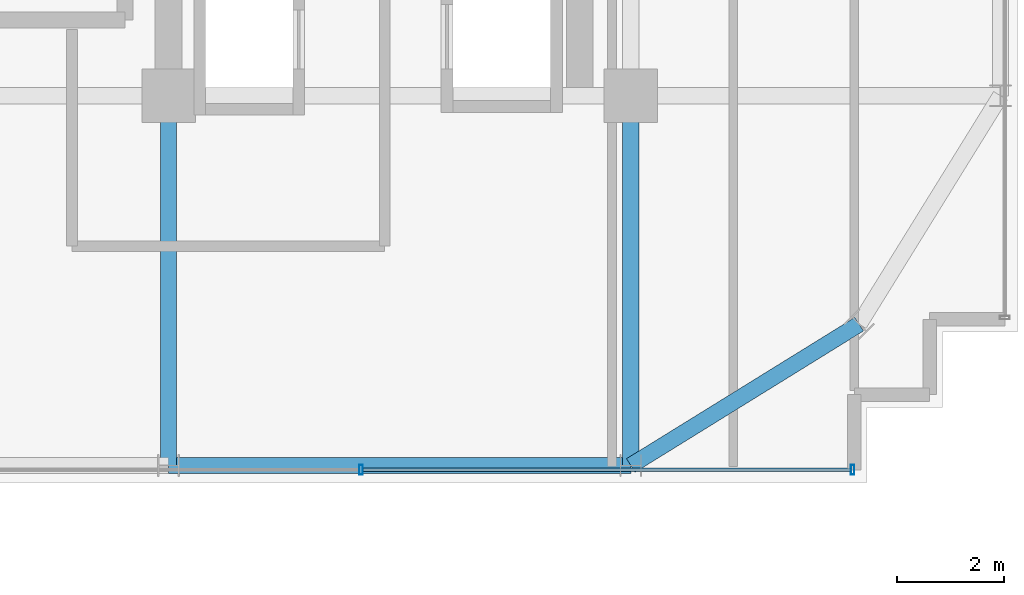
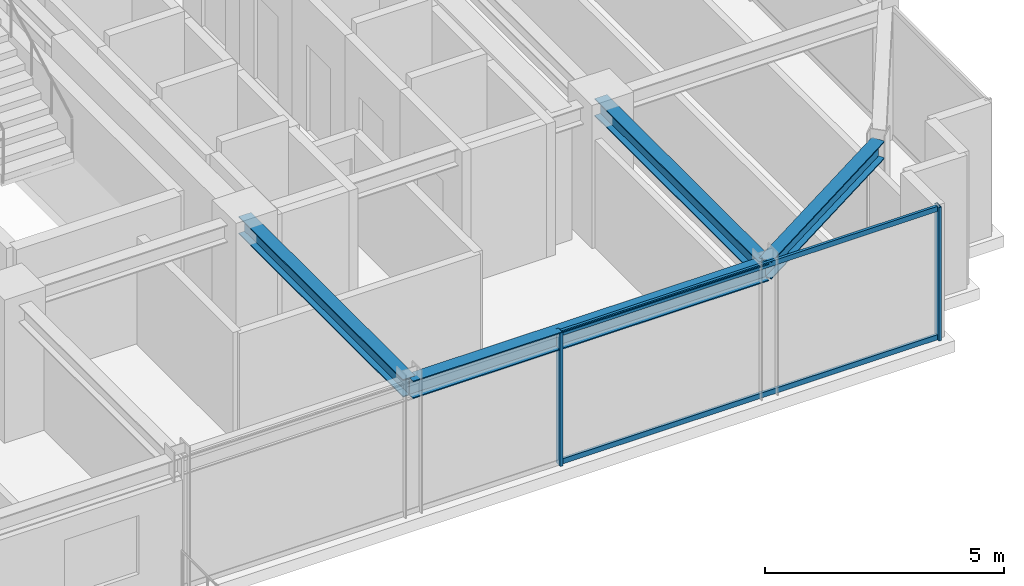
# One storey, part 12 of 34: 4 beams, 4 members, 1 element without a shape of its own.
"""IFC4 building model written with IfcOpenShell, lengths in metres."""

from ifc_helpers import new_model, si_unit, direction, frame, origin, origin_2d, place, context, subcontext, project, spatial, hollow_rectangle, i_section, extrude, source, transform, mapped, material, material_profile, profile_set, type_object, element, aggregate, save


model = new_model("IFC4")

# Units and contexts
model_context = context("Model", 3, precision=1e-05, world=origin(), true_north=direction((0.0, 1.0)))
body_context = subcontext(model_context, "Body", "Model", "MODEL_VIEW")
ifc_project = project(units=[si_unit("LENGTHUNIT", "METRE"), si_unit("AREAUNIT", "SQUARE_METRE"), si_unit("VOLUMEUNIT", "CUBIC_METRE"), si_unit("PLANEANGLEUNIT", "RADIAN"), si_unit("MASSUNIT", "GRAM", prefix="KILO")], contexts=[model_context])

# Site, building, storey
site_placement = place(None, origin())
site = spatial("IfcSite", under=ifc_project, at=site_placement, CompositionType="ELEMENT")
building_placement = place(site_placement, origin())
building = spatial("IfcBuilding", under=site, at=building_placement, Name="Nahalor Promenade Grand Hotel", CompositionType="ELEMENT")
storey_placement = place(building_placement, frame((0.0, 0.0, 208.60009765625)))
storey = spatial("IfcBuildingStorey", under=building, at=storey_placement, Name="L53", CompositionType="ELEMENT", Elevation=208.60009765625)

# Beams
ifc_material_1 = material(Name="Steel S355JR", Category="steel")
ifc_material_profile_1 = material_profile(ifc_material_1, i_section(OverallWidth=0.3, OverallDepth=0.45, WebThickness=0.014, FlangeThickness=0.026, at=origin_2d()), Name="HEB 450")
ifc_profile_set_1 = profile_set([ifc_material_profile_1], Name="Steel S355JR")
beam_type_1 = type_object("IfcBeamType", Name="Beam-Spandrel-HEB450", PredefinedType="SPANDREL", material=ifc_profile_set_1)
shared_shape_1 = source(origin(), body_context, "Body", "SweptSolid", [
    extrude(i_section(OverallWidth=0.3, OverallDepth=0.45, WebThickness=0.014, FlangeThickness=0.026, at=origin_2d()), origin(), (0.0, 0.0, 1.0), 8.60009765625),
])
beam_1_placement = place(storey_placement, frame((8.39990234375, -23.8798828125, 3.184814453125), z_axis=(1.0, 0.0, 0.0), x_axis=(0.0, 1.0, 0.0)))
element("IfcBeam", 1, at=beam_1_placement, inside=storey, type_object=beam_type_1, Name="BM-L53-SP-S-4", PredefinedType="SPANDREL", context=body_context, shape_type="MappedRepresentation", body=[
    mapped(shared_shape_1, transform((0.0, 0.0, 0.0), scale=1.0)),
])
shared_shape_2 = source(origin(), body_context, "Body", "SweptSolid", [
    extrude(i_section(OverallWidth=0.3, OverallDepth=0.45, WebThickness=0.014, FlangeThickness=0.026, at=origin_2d()), origin(), (0.0, 0.0, 1.0), 4.997802734375),
])
beam_2_placement = place(storey_placement, frame((17.0, -23.8798828125, 3.184814453125), z_axis=(0.850360908404, 0.526199891161, 0.0), x_axis=(-0.526199891161, 0.850360908404, 0.0)))
element("IfcBeam", 2, at=beam_2_placement, inside=storey, type_object=beam_type_1, Name="BM-L53-SPC-SE-1", PredefinedType="SPANDREL", context=body_context, shape_type="MappedRepresentation", body=[
    mapped(shared_shape_2, transform((0.0, 0.0, 0.0), scale=1.0)),
])
ifc_material_profile_2 = material_profile(ifc_material_1, i_section(OverallWidth=0.3, OverallDepth=0.45, WebThickness=0.014, FlangeThickness=0.026, at=origin_2d()), Name="HEB 450")
ifc_profile_set_2 = profile_set([ifc_material_profile_2], Name="Steel S355JR")
beam_type_2 = type_object("IfcBeamType", Name="Beam-Girder-HEB450", PredefinedType="BEAM", material=ifc_profile_set_2)
shared_shape_3 = source(origin(), body_context, "Body", "SweptSolid", [
    extrude(i_section(OverallWidth=0.3, OverallDepth=0.45, WebThickness=0.014, FlangeThickness=0.026, at=origin_2d()), origin(), (0.0, 0.0, 1.0), 6.8798828125),
])
for number, where, z_axis, x_axis, name in (
    (3, (8.39990234375, -23.8798828125, 3.184814453125), (0.0, 1.0, 0.0), (-1.0, 0.0, 0.0), "BM-L53-GY-4-0"),
    (4, (17.0, -23.8798828125, 3.184814453125), (0.0, 1.0, 0.0), (-1.0, 0.0, 0.0), "BM-L53-GY-5-0"),
):
    element("IfcBeam", number, at=place(storey_placement, frame(where, z_axis=z_axis, x_axis=x_axis)), inside=storey, type_object=beam_type_2, Name=name, PredefinedType="BEAM", context=body_context, shape_type="MappedRepresentation", body=[
        mapped(shared_shape_3, transform((0.0, 0.0, 0.0), scale=1.0)),
    ])

# Curtain wall, members
ifc_material_2 = material(Name="Anodised Bronze Aluminium EN AW-6063 T6", Category="aluminium")
curtain_wall_type = type_object("IfcCurtainWallType", Name="CW2 Typical Hotel Flush Bronze Unitised Curtain Wall", PredefinedType="USERDEFINED", material=ifc_material_2)
curtain_wall_placement = place(storey_placement, origin())
curtain_wall = element("IfcCurtainWall", 5, at=curtain_wall_placement, inside=storey, type_object=curtain_wall_type, Name="L53 Curtain Wall CW-L53-S-3", ObjectType="UNITISED_CURTAIN_WALL", PredefinedType="USERDEFINED")
ifc_material_profile_3 = material_profile(ifc_material_2, hollow_rectangle(XDim=0.065, YDim=0.13, WallThickness=0.004, at=origin_2d()), Name="CWT 65x130x4")
ifc_profile_set_3 = profile_set([ifc_material_profile_3], Name="Anodised Bronze Aluminium EN AW-6063 T6")
member_type_1 = type_object("IfcMemberType", Name="CWT2 Typical Bronze Transom 65x130", PredefinedType="USERDEFINED", material=ifc_profile_set_3)
shared_shape_4 = source(origin(), body_context, "Body", "SweptSolid", [
    extrude(hollow_rectangle(XDim=0.065, YDim=0.13, WallThickness=0.004, at=origin_2d()), origin(), (0.0, 0.0, 1.0), 9.08251953125),
])
member_1_placement = place(storey_placement, frame((12.012451171875, -23.9599609375, 0.06494140625), z_axis=(1.0, 0.0, 0.0), x_axis=(0.0, 1.0, 0.0)))
member_1 = element("IfcMember", 6, at=member_1_placement, type_object=member_type_1, Name="CW-L53-S-3 Transom 1-0", ObjectType="TRANSOM", PredefinedType="USERDEFINED", context=body_context, shape_type="MappedRepresentation", body=[
    mapped(shared_shape_4, transform((0.0, 0.0, 0.0), scale=1.0)),
])
member_2_placement = place(storey_placement, frame((12.012451171875, -23.9599609375, 3.344970703125), z_axis=(1.0, 0.0, 0.0), x_axis=(0.0, 1.0, 0.0)))
member_2 = element("IfcMember", 7, at=member_2_placement, type_object=member_type_1, Name="CW-L53-S-3 Transom 1-1", ObjectType="TRANSOM", PredefinedType="USERDEFINED", context=body_context, shape_type="MappedRepresentation", body=[
    mapped(shared_shape_4, transform((0.0, 0.0, 0.0), scale=1.0)),
])
ifc_material_profile_4 = material_profile(ifc_material_2, hollow_rectangle(XDim=0.065, YDim=0.18, WallThickness=0.004, at=origin_2d()), Name="CWM 65x180x4")
ifc_profile_set_4 = profile_set([ifc_material_profile_4], Name="Anodised Bronze Aluminium EN AW-6063 T6")
member_type_2 = type_object("IfcMemberType", Name="CWM2 Typical Bronze Mullion 65x180", PredefinedType="MULLION", material=ifc_profile_set_4)
shared_shape_5 = source(origin(), body_context, "Body", "SweptSolid", [
    extrude(hollow_rectangle(XDim=0.065, YDim=0.18, WallThickness=0.004, at=origin_2d()), origin(), (0.0, 0.0, 1.0), 3.409912109375),
])
member_3_placement = place(storey_placement, frame((11.97998046875, -23.9599609375, 0.0), z_axis=(0.0, 0.0, 1.0), x_axis=(1.0, 0.0, 0.0)))
member_3 = element("IfcMember", 8, at=member_3_placement, type_object=member_type_2, Name="CW-L53-S-3 Mullion 1", PredefinedType="MULLION", context=body_context, shape_type="MappedRepresentation", body=[
    mapped(shared_shape_5, transform((0.0, 0.0, 0.0), scale=1.0)),
])
member_4_placement = place(storey_placement, frame((21.12744140625, -23.9599609375, 0.0), z_axis=(0.0, 0.0, 1.0), x_axis=(1.0, 0.0, 0.0)))
member_4 = element("IfcMember", 9, at=member_4_placement, type_object=member_type_2, Name="CW-L53-S-3 Mullion 2", PredefinedType="MULLION", context=body_context, shape_type="MappedRepresentation", body=[
    mapped(shared_shape_5, transform((0.0, 0.0, 0.0), scale=1.0)),
])
aggregate(curtain_wall, [member_3, member_4, member_1, member_2])

save(model, "model.ifc")
